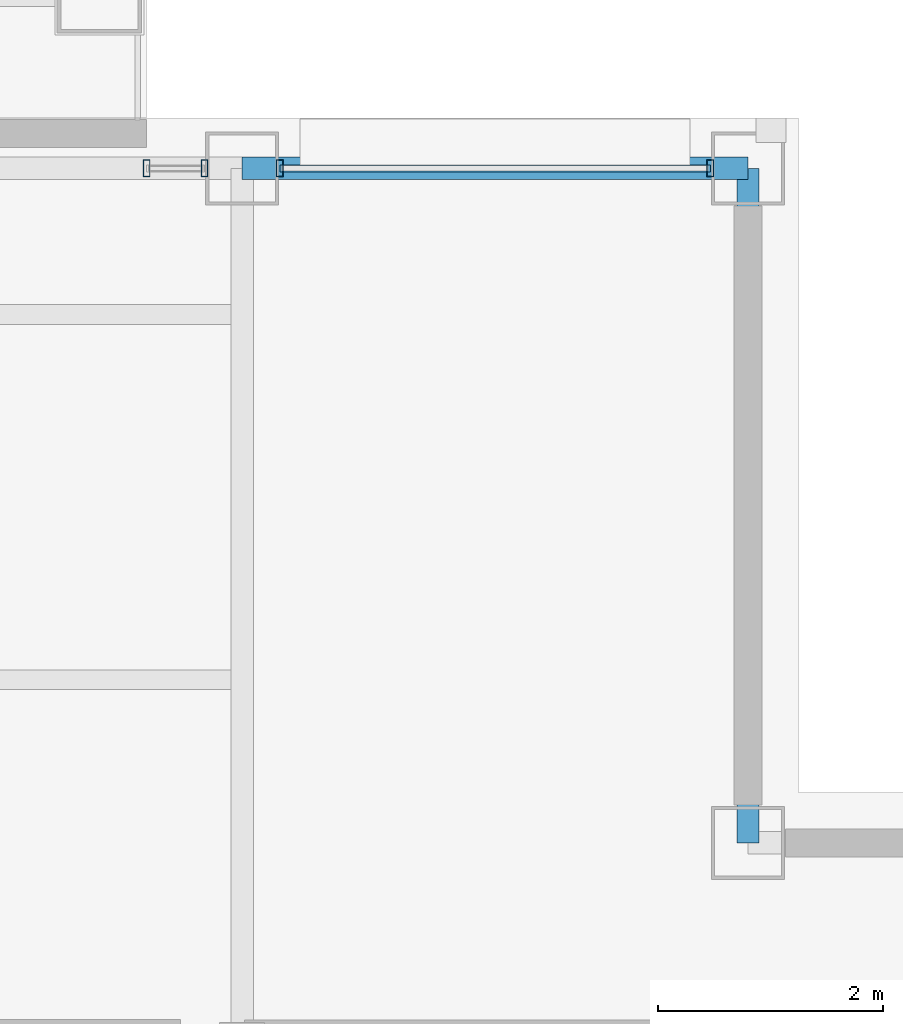
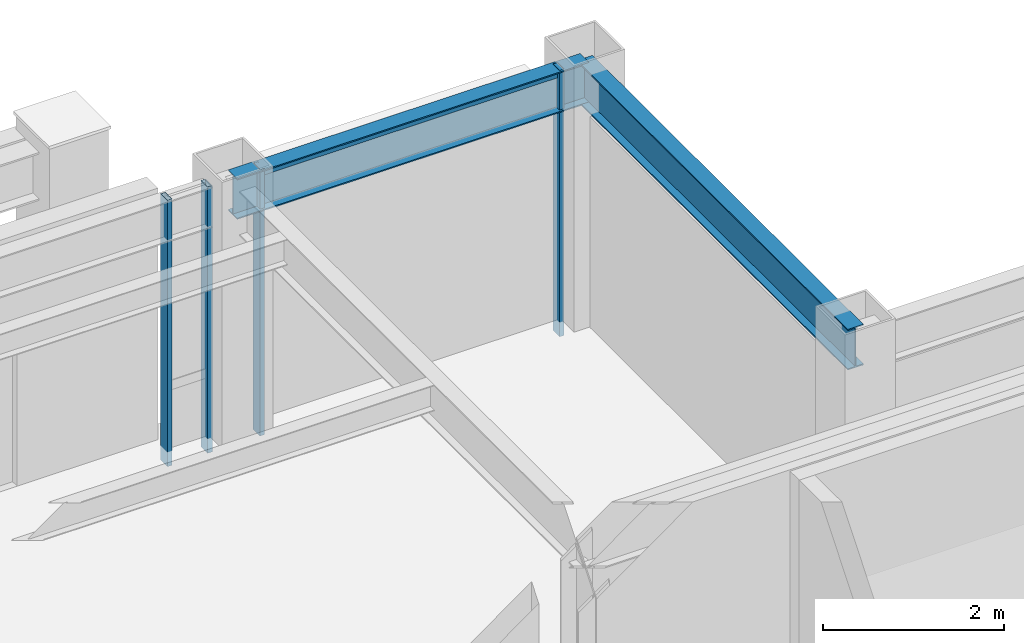
# One storey, part 16 of 24: 5 members, 2 beams, 2 elements without a shape of their own.
"""IFC4 building model written with IfcOpenShell, lengths in metres."""

from ifc_helpers import new_model, si_unit, direction, frame, origin, origin_2d, place, context, subcontext, project, spatial, hollow_rectangle, i_section, extrude, material, layer, layer_set, material_profile, profile_set, type_object, element, aggregate, save


model = new_model("IFC4")

# Units and contexts
model_context = context("Model", 3, precision=1e-05, world=origin(), true_north=direction((0.0, 1.0)))
body_context = subcontext(model_context, "Body", "Model", "MODEL_VIEW")
ifc_project = project(units=[si_unit("LENGTHUNIT", "METRE"), si_unit("AREAUNIT", "SQUARE_METRE"), si_unit("VOLUMEUNIT", "CUBIC_METRE"), si_unit("PLANEANGLEUNIT", "RADIAN"), si_unit("MASSUNIT", "GRAM", prefix="KILO")], contexts=[model_context])

# Site, building, storey
site_placement = place(None, origin())
site = spatial("IfcSite", under=ifc_project, at=site_placement, CompositionType="ELEMENT")
building_placement = place(site_placement, origin())
building = spatial("IfcBuilding", under=site, at=building_placement, Name="Brelmoor Portico Tower", CompositionType="ELEMENT")
storey_placement = place(building_placement, frame((0.0, 0.0, 240.0)))
storey = spatial("IfcBuildingStorey", under=building, at=storey_placement, Name="L63", CompositionType="ELEMENT", Elevation=240.0)

# Beams
ifc_material_1 = material(Name="Steel Q355B", Category="steel")
ifc_material_profile_1 = material_profile(ifc_material_1, i_section(OverallWidth=0.199951171875, OverallDepth=0.550048828125, WebThickness=0.010009765625, FlangeThickness=0.01611328125, at=origin_2d()), Name="HN 550x200x10x16")
ifc_profile_set_1 = profile_set([ifc_material_profile_1], Name="Steel Q355B")
beam_type = type_object("IfcBeamType", Name="BM-SP-550", PredefinedType="SPANDREL", material=ifc_profile_set_1)
beam_1_placement = place(storey_placement, frame((8.050048828125, 17.550048828125, 3.125), z_axis=(1.0, 0.0, 0.0), x_axis=(0.0, 1.0, 0.0)))
element("IfcBeam", 1, at=beam_1_placement, inside=storey, type_object=beam_type, Name="L63 Perimeter Spandrel Beam SP-10", PredefinedType="SPANDREL", context=body_context, shape_type="SweptSolid", body=[
    extrude(i_section(OverallWidth=0.199951171875, OverallDepth=0.550048828125, WebThickness=0.010009765625, FlangeThickness=0.01611328125, at=origin_2d()), origin(), (0.0, 0.0, 1.0), 4.5),
])
beam_2_placement = place(storey_placement, frame((12.550048828125, 11.550048828125, 3.125), z_axis=(0.0, 1.0, 0.0), x_axis=(-1.0, 0.0, 0.0)))
element("IfcBeam", 2, at=beam_2_placement, inside=storey, type_object=beam_type, Name="L63 Perimeter Spandrel Beam SP-17", PredefinedType="SPANDREL", context=body_context, shape_type="SweptSolid", body=[
    extrude(i_section(OverallWidth=0.199951171875, OverallDepth=0.550048828125, WebThickness=0.010009765625, FlangeThickness=0.01611328125, at=origin_2d()), origin(), (0.0, 0.0, 1.0), 6.0),
])

# Curtain wall, members
ifc_material_2 = material(Name="Anodised Aluminium Alloy 6063-T6", Category="aluminium")
ifc_layer_1 = layer(ifc_material_2, 0.179931640625)
ifc_layer_set_1 = layer_set([ifc_layer_1], Name="Anodised Aluminium Alloy 6063-T6")
curtain_wall_type_1 = type_object("IfcCurtainWallType", Name="CW-TOWER-Z4", PredefinedType="NOTDEFINED", material=ifc_layer_set_1)
curtain_wall_1_placement = place(storey_placement, origin())
curtain_wall_1 = element("IfcCurtainWall", 3, at=curtain_wall_1_placement, inside=storey, type_object=curtain_wall_type_1, Name="L63 Curtain Wall CW-L63-2R-1", PredefinedType="NOTDEFINED")
ifc_material_profile_2 = material_profile(ifc_material_2, hollow_rectangle(XDim=0.06005859375, YDim=0.14990234375, WallThickness=0.00390625, at=origin_2d()), Name="ALU MULLION 60x150")
ifc_profile_set_2 = profile_set([ifc_material_profile_2], Name="Anodised Aluminium Alloy 6063-T6")
member_type_1 = type_object("IfcMemberType", Name="MB-CW-MULL-150", PredefinedType="MULLION", material=ifc_profile_set_2)
member_1_placement = place(storey_placement, frame((7.199951171875, 17.550048828125, -0.199951171875), z_axis=(0.0, 0.0, 1.0), x_axis=(1.0, 0.0, 0.0)))
member_1 = element("IfcMember", 4, at=member_1_placement, type_object=member_type_1, Name="CW-L63-2R-1 Mullion 00", PredefinedType="MULLION", context=body_context, shape_type="SweptSolid", body=[
    extrude(hollow_rectangle(XDim=0.06005859375, YDim=0.14990234375, WallThickness=0.00390625, at=origin_2d()), origin(), (0.0, 0.0, 1.0), 3.599853515625),
])
member_2_placement = place(storey_placement, frame((7.715087890625, 17.550048828125, -0.199951171875), z_axis=(0.0, 0.0, 1.0), x_axis=(1.0, 0.0, 0.0)))
member_2 = element("IfcMember", 5, at=member_2_placement, type_object=member_type_1, Name="CW-L63-2R-1 Mullion 01", PredefinedType="MULLION", context=body_context, shape_type="SweptSolid", body=[
    extrude(hollow_rectangle(XDim=0.06005859375, YDim=0.14990234375, WallThickness=0.00390625, at=origin_2d()), origin(), (0.0, 0.0, 1.0), 3.599853515625),
])
aggregate(curtain_wall_1, [member_1, member_2])

ifc_layer_2 = layer(ifc_material_2, 0.179931640625)
ifc_layer_set_2 = layer_set([ifc_layer_2], Name="Anodised Aluminium Alloy 6063-T6")
curtain_wall_type_2 = type_object("IfcCurtainWallType", Name="CW-TOWER-Z4-XB", PredefinedType="NOTDEFINED", material=ifc_layer_set_2)
curtain_wall_2_placement = place(storey_placement, origin())
curtain_wall_2 = element("IfcCurtainWall", 6, at=curtain_wall_2_placement, inside=storey, type_object=curtain_wall_type_2, Name="L63 Curtain Wall CW-L63-2R-2", PredefinedType="NOTDEFINED")
member_3_placement = place(storey_placement, frame((8.385009765625, 17.550048828125, -0.199951171875), z_axis=(0.0, 0.0, 1.0), x_axis=(1.0, 0.0, 0.0)))
member_3 = element("IfcMember", 7, at=member_3_placement, type_object=member_type_1, Name="CW-L63-2R-2 Mullion 00", PredefinedType="MULLION", context=body_context, shape_type="SweptSolid", body=[
    extrude(hollow_rectangle(XDim=0.06005859375, YDim=0.14990234375, WallThickness=0.00390625, at=origin_2d()), origin(), (0.0, 0.0, 1.0), 3.599853515625),
])
member_4_placement = place(storey_placement, frame((12.215087890625, 17.550048828125, -0.199951171875), z_axis=(0.0, 0.0, 1.0), x_axis=(1.0, 0.0, 0.0)))
member_4 = element("IfcMember", 8, at=member_4_placement, type_object=member_type_1, Name="CW-L63-2R-2 Mullion 01", PredefinedType="MULLION", context=body_context, shape_type="SweptSolid", body=[
    extrude(hollow_rectangle(XDim=0.06005859375, YDim=0.14990234375, WallThickness=0.00390625, at=origin_2d()), origin(), (0.0, 0.0, 1.0), 3.599853515625),
])
ifc_material_profile_3 = material_profile(ifc_material_2, hollow_rectangle(XDim=0.06005859375, YDim=0.125, WallThickness=0.00341796875, at=origin_2d()), Name="ALU TRANSOM 60x125")
ifc_profile_set_3 = profile_set([ifc_material_profile_3], Name="Anodised Aluminium Alloy 6063-T6")
member_type_2 = type_object("IfcMemberType", Name="MB-CW-TRAN-125", PredefinedType="USERDEFINED", material=ifc_profile_set_3)
member_5_placement = place(storey_placement, frame((8.385009765625, 17.550048828125, 3.33740234375), z_axis=(1.0, 0.0, 0.0), x_axis=(0.0, 1.0, 0.0)))
member_5 = element("IfcMember", 9, at=member_5_placement, type_object=member_type_2, Name="CW-L63-2R-2 Transom 1-00", ObjectType="TRANSOM", PredefinedType="USERDEFINED", context=body_context, shape_type="SweptSolid", body=[
    extrude(hollow_rectangle(XDim=0.06005859375, YDim=0.125, WallThickness=0.00341796875, at=origin_2d()), origin(), (0.0, 0.0, 1.0), 3.830078125),
])
aggregate(curtain_wall_2, [member_3, member_4, member_5])

save(model, "model.ifc")
